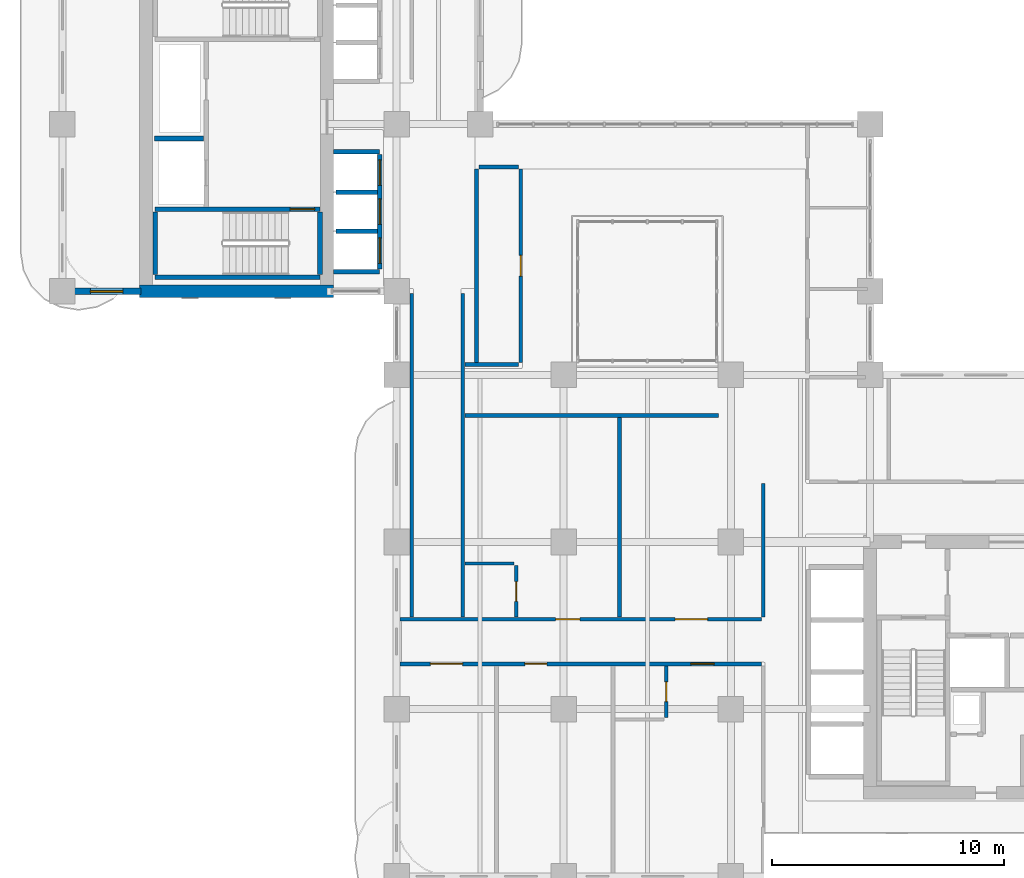
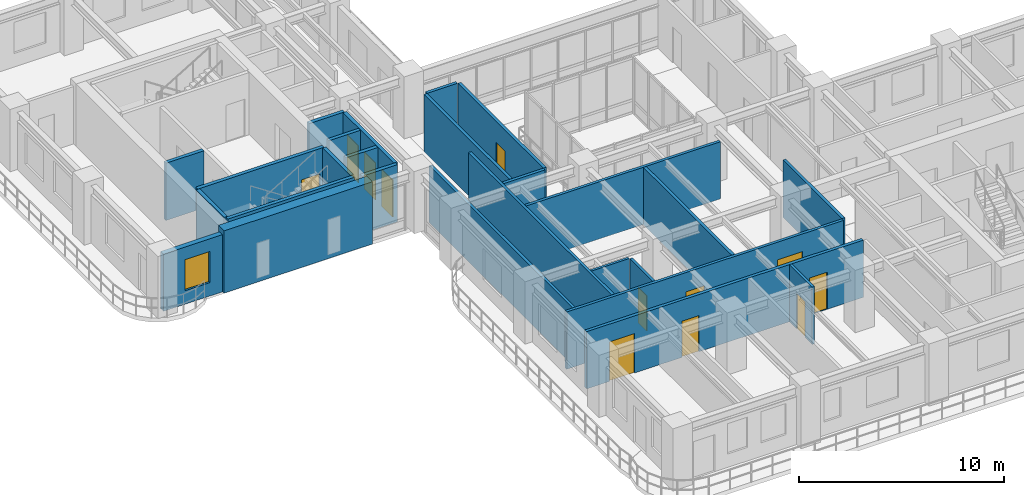
# One storey, part 9 of 19: 26 walls, 12 doors, 1 window, 13 openings.
"""IFC4 building model written with IfcOpenShell, lengths in metres."""

from ifc_helpers import new_model, si_unit, derived_unit, direction, frame, frame_2d, origin, place, context, subcontext, project, spatial, rectangle, extrude, source, transform, mapped, material, layer, layer_set, type_object, type_shapes, element, fill, save


model = new_model("IFC4")

# Units and contexts
model_context = context("Model", 3, precision=1e-05, world=origin(), true_north=direction((0.0, 1.0)))
body_context = subcontext(model_context, "Body", "Model", "MODEL_VIEW")
ifc_project = project(units=[si_unit("LENGTHUNIT", "METRE"), si_unit("AREAUNIT", "SQUARE_METRE"), si_unit("VOLUMEUNIT", "CUBIC_METRE"), si_unit("PLANEANGLEUNIT", "RADIAN"), si_unit("MASSUNIT", "GRAM", prefix="KILO"), si_unit("THERMODYNAMICTEMPERATUREUNIT", "KELVIN"), si_unit("POWERUNIT", "WATT"), derived_unit("THERMALTRANSMITTANCEUNIT", [(si_unit("POWERUNIT", "WATT"), 1), (si_unit("AREAUNIT", "SQUARE_METRE"), -1), (si_unit("THERMODYNAMICTEMPERATUREUNIT", "KELVIN"), -1)])], contexts=[model_context])

# Site, building, storey
site_placement = place(None, origin())
site = spatial("IfcSite", under=ifc_project, at=site_placement, CompositionType="ELEMENT")
building_placement = place(site_placement, origin())
building = spatial("IfcBuilding", under=site, at=building_placement, Name="Zahravan Archway Hotel and Residences", CompositionType="ELEMENT")
storey_placement = place(building_placement, frame((0.0, 0.0, 102.699951171875)))
storey = spatial("IfcBuildingStorey", under=building, at=storey_placement, Name="L25", CompositionType="ELEMENT", Elevation=102.699951171875)

# Wall
ifc_material_1 = material(Name="Concrete C70/85", Category="concrete")
ifc_layer_1 = layer(ifc_material_1, 0.550048828125, Name="Concrete C70/85", Category="concrete")
ifc_layer_set_1 = layer_set([ifc_layer_1], Name="Concrete C70/85")
wall_type_1 = type_object("IfcWallType", Name="CW-CORE-550", PredefinedType="SHEAR", material=ifc_layer_set_1)
wall_1_placement = place(storey_placement, frame((3.324951171875, 25.199951171875, 0.0), z_axis=(0.0, 0.0, 1.0), x_axis=(1.0, 0.0, 0.0)))
element("IfcWall", 1, at=wall_1_placement, inside=storey, type_object=wall_type_1, Name="L25 Core B Shear S Wall 550 mm", PredefinedType="SHEAR", context=body_context, shape_type="SweptSolid", body=[
    extrude(rectangle(XDim=8.35009765625, YDim=0.550048828125, at=frame_2d((4.175048828125, 0.0))), origin(), (0.0, 0.0, 1.0), 3.699951171875),
])

# Wall, opening, window
ifc_material_2 = material(Name="Honed Red-Ochre Sandstone & Insulated Block", Category="masonry")
ifc_layer_2 = layer(ifc_material_2, 0.280029296875, Name="Honed Red-Ochre Sandstone & Insulated Block", Category="masonry")
ifc_layer_set_2 = layer_set([ifc_layer_2], Name="Honed Red-Ochre Sandstone & Insulated Block")
wall_type_2 = type_object("IfcWallType", Name="EW-LOG-280", PredefinedType="SOLIDWALL", material=ifc_layer_set_2)
wall_2_placement = place(storey_placement, frame((0.0, 25.199951171875, 0.0), z_axis=(0.0, 0.0, 1.0), x_axis=(1.0, 0.0, 0.0)))
wall_2 = element("IfcWall", 2, at=wall_2_placement, inside=storey, type_object=wall_type_2, Name="L25 Exterior Sandstone Wall WB-SW", PredefinedType="SOLIDWALL", context=body_context, shape_type="SweptSolid", body=[
    extrude(rectangle(XDim=3.3798828125, YDim=0.280029296875, at=frame_2d((1.68994140625, 0.0))), origin(), (0.0, 0.0, 1.0), 3.400146484375),
])
opening_1_placement = place(wall_2_placement, frame((1.205078125, 0.0, 0.800048828125)))
opening_1 = element("IfcOpeningElement", 3, at=opening_1_placement, cuts=wall_2, Name="Opening W-03", PredefinedType="OPENING", context=body_context, shape_type="SweptSolid", body=[
    extrude(rectangle(XDim=1.39990234375, YDim=1.85009765625, at=frame_2d((0.699951171875, 0.925048828125))), frame((0.0, 0.14990234375, 0.0), z_axis=(0.0, -1.0, 0.0), x_axis=(1.0, 0.0, 0.0)), (0.0, 0.0, 1.0), 0.300048828125),
])
ifc_material_3 = material(Name="Bronze-Anodized Thermal-Break Aluminium & Low-E Glass", Category="aluminium")
window_type = type_object("IfcWindowType", Name="WIN-TWR-1400", PartitioningType="SINGLE_PANEL", PredefinedType="WINDOW", material=ifc_material_3)
shared_shape_1 = source(origin(), body_context, "Body", "SweptSolid", [
    extrude(rectangle(XDim=1.39990234375, YDim=1.85009765625, at=frame_2d((0.699951171875, 0.925048828125))), frame((0.0, 0.030029296875, 0.0), z_axis=(0.0, -1.0, 0.0), x_axis=(1.0, 0.0, 0.0)), (0.0, 0.0, 1.0), 0.06005859375),
])
type_shapes(window_type, [shared_shape_1])
window_placement = place(opening_1_placement, origin())
window = element("IfcWindow", 4, at=window_placement, inside=storey, type_object=window_type, Name="L25 Loggia Window 29", OverallHeight=1.85009765625, OverallWidth=1.39990234375, PartitioningType="SINGLE_PANEL", PredefinedType="WINDOW", context=body_context, shape_type="MappedRepresentation", body=[
    mapped(shared_shape_1, transform((0.0, 0.0, 0.0), scale=1.0)),
])
fill(opening_1, window)

# Wall, openings, doors
ifc_material_4 = material(Name="Fire-Rated Gypsum & Concrete Block", Category="concrete")
ifc_layer_3 = layer(ifc_material_4, 0.159912109375, Name="Fire-Rated Gypsum & Concrete Block", Category="concrete")
ifc_layer_set_3 = layer_set([ifc_layer_3], Name="Fire-Rated Gypsum & Concrete Block")
wall_type_3 = type_object("IfcWallType", Name="PW-CORR-160", PredefinedType="PARTITIONING", material=ifc_layer_set_3)
wall_3_placement = place(storey_placement, frame((14.548095703125, 11.070068359375, 0.0), z_axis=(0.0, 0.0, 1.0), x_axis=(1.0, 0.0, 0.0)))
wall_3 = element("IfcWall", 5, at=wall_3_placement, inside=storey, type_object=wall_type_3, Name="L25 Partition WA-CN", PredefinedType="PARTITIONING", context=body_context, shape_type="SweptSolid", body=[
    extrude(rectangle(XDim=15.56201171875, YDim=0.159912109375, at=frame_2d((7.781005859375, 0.0))), origin(), (0.0, 0.0, 1.0), 3.400146484375),
])
opening_2_placement = place(wall_3_placement, frame((6.701904296875, 0.0, 0.0)))
opening_2 = element("IfcOpeningElement", 6, at=opening_2_placement, cuts=wall_3, Name="Opening D-U1", PredefinedType="OPENING", context=body_context, shape_type="SweptSolid", body=[
    extrude(rectangle(XDim=1.050048828125, YDim=2.25, at=frame_2d((0.52490234375, 1.125))), frame((0.0, 0.08984375, 0.0), z_axis=(0.0, -1.0, 0.0), x_axis=(1.0, 0.0, 0.0)), (0.0, 0.0, 1.0), 0.179931640625),
])
opening_3_placement = place(wall_3_placement, frame((11.85205078125, 0.0, 0.0)))
opening_3 = element("IfcOpeningElement", 7, at=opening_3_placement, cuts=wall_3, Name="Opening D-P1", PredefinedType="OPENING", context=body_context, shape_type="SweptSolid", body=[
    extrude(rectangle(XDim=1.39990234375, YDim=2.35009765625, at=frame_2d((0.699951171875, 1.175048828125))), frame((0.0, 0.08984375, 0.0), z_axis=(0.0, -1.0, 0.0), x_axis=(1.0, 0.0, 0.0)), (0.0, 0.0, 1.0), 0.179931640625),
])
ifc_material_5 = material(Name="Bronze-Anodized Glazed Aluminium", Category="aluminium")
door_type_1 = type_object("IfcDoorType", Name="ID-PUBLIC-1400", OperationType="DOUBLE_DOOR_SINGLE_SWING", PredefinedType="DOOR", material=ifc_material_5)
shared_shape_2 = source(origin(), body_context, "Body", "SweptSolid", [
    extrude(rectangle(XDim=1.39990234375, YDim=2.35009765625, at=frame_2d((0.699951171875, 1.175048828125))), frame((0.0, 0.02490234375, 0.0), z_axis=(0.0, -1.0, 0.0), x_axis=(1.0, 0.0, 0.0)), (0.0, 0.0, 1.0), 0.050048828125),
])
type_shapes(door_type_1, [shared_shape_2])
door_1_placement = place(opening_3_placement, origin())
door_1 = element("IfcDoor", 8, at=door_1_placement, inside=storey, type_object=door_type_1, Name="L25 Atrium Dining Door", OperationType="DOUBLE_DOOR_SINGLE_SWING", OverallHeight=2.35009765625, OverallWidth=1.39990234375, PredefinedType="DOOR", context=body_context, shape_type="MappedRepresentation", body=[
    mapped(shared_shape_2, transform((0.0, 0.0, 0.0), scale=1.0)),
])
fill(opening_3, door_1)
ifc_material_6 = material(Name="Hardwood Veneer Timber", Category="wood")
door_type_2 = type_object("IfcDoorType", Name="ID-UNIT-1050", OperationType="NOTDEFINED", PredefinedType="DOOR", material=ifc_material_6)
shared_shape_3 = source(origin(), body_context, "Body", "SweptSolid", [
    extrude(rectangle(XDim=1.050048828125, YDim=2.25, at=frame_2d((0.52490234375, 1.125))), frame((0.0, 0.02490234375, 0.0), z_axis=(0.0, -1.0, 0.0), x_axis=(1.0, 0.0, 0.0)), (0.0, 0.0, 1.0), 0.050048828125),
])
type_shapes(door_type_2, [shared_shape_3])
door_2_placement = place(opening_2_placement, origin())
door_2 = element("IfcDoor", 9, at=door_2_placement, inside=storey, type_object=door_type_2, Name="L25 Hotel Guestroom 52 Entrance Door", OperationType="SINGLE_SWING_RIGHT", OverallHeight=2.25, OverallWidth=1.050048828125, PredefinedType="DOOR", context=body_context, shape_type="MappedRepresentation", body=[
    mapped(shared_shape_3, transform((0.0, 0.0, 0.0), scale=1.0)),
])
fill(opening_2, door_2)

# Walls
wall_4_placement = place(storey_placement, frame((30.199951171875, 11.159912109375, 0.0), z_axis=(0.0, 0.0, 1.0), x_axis=(0.0, 1.0, 0.0)))
element("IfcWall", 10, at=wall_4_placement, inside=storey, type_object=wall_type_3, Name="L25 Partition WA-FW", PredefinedType="PARTITIONING", context=body_context, shape_type="SweptSolid", body=[
    extrude(rectangle(XDim=5.75, YDim=0.159912109375, at=frame_2d((2.875, 0.0))), origin(), (0.0, 0.0, 1.0), 3.400146484375),
])
for number, where, z_axis, x_axis, name in (
    (11, (15.050048828125, 11.159912109375, 0.0), (0.0, 0.0, 1.0), (0.0, 1.0, 0.0), "L25 Partition LNK-W"),
    (12, (17.25, 11.159912109375, 0.0), (0.0, 0.0, 1.0), (0.0, 1.0, 0.0), "L25 Partition LNK-E"),
):
    element("IfcWall", number, at=place(storey_placement, frame(where, z_axis=z_axis, x_axis=x_axis)), inside=storey, type_object=wall_type_3, Name=name, PredefinedType="PARTITIONING", context=body_context, shape_type="SweptSolid", body=[
        extrude(rectangle(XDim=13.9501953125, YDim=0.159912109375, at=frame_2d((6.97509765625, 0.0))), origin(), (0.0, 0.0, 1.0), 3.400146484375),
    ])
wall_5_placement = place(storey_placement, frame((17.340087890625, 19.85009765625, 0.0), z_axis=(0.0, 0.0, 1.0), x_axis=(1.0, 0.0, 0.0)))
element("IfcWall", 13, at=wall_5_placement, inside=storey, type_object=wall_type_3, Name="L25 Partition ATR-S", PredefinedType="PARTITIONING", context=body_context, shape_type="SweptSolid", body=[
    extrude(rectangle(XDim=10.919921875, YDim=0.159912109375, at=frame_2d((5.4599609375, 0.0))), origin(), (0.0, 0.0, 1.0), 3.400146484375),
])

# Wall, openings, doors
ifc_layer_4 = layer(ifc_material_4, 0.179931640625, Name="Fire-Rated Gypsum & Concrete Block", Category="concrete")
ifc_layer_set_4 = layer_set([ifc_layer_4], Name="Fire-Rated Gypsum & Concrete Block")
wall_type_4 = type_object("IfcWallType", Name="PW-CORR-180", PredefinedType="PARTITIONING", material=ifc_layer_set_4)
wall_6_placement = place(storey_placement, frame((14.548095703125, 9.14990234375, 0.0), z_axis=(0.0, 0.0, 1.0), x_axis=(1.0, 0.0, 0.0)))
wall_6 = element("IfcWall", 14, at=wall_6_placement, inside=storey, type_object=wall_type_4, Name="L25 Partition WA-CS", PredefinedType="PARTITIONING", context=body_context, shape_type="SweptSolid", body=[
    extrude(rectangle(XDim=15.56201171875, YDim=0.179931640625, at=frame_2d((7.781005859375, 0.0))), origin(), (0.0, 0.0, 1.0), 3.400146484375),
])
opening_4_placement = place(wall_6_placement, frame((1.302001953125, 0.0, 0.0)))
opening_4 = element("IfcOpeningElement", 15, at=opening_4_placement, cuts=wall_6, Name="Opening D-P1", PredefinedType="OPENING", context=body_context, shape_type="SweptSolid", body=[
    extrude(rectangle(XDim=1.39990234375, YDim=2.35009765625, at=frame_2d((0.699951171875, 1.175048828125))), frame((0.0, 0.10009765625, 0.0), z_axis=(0.0, -1.0, 0.0), x_axis=(1.0, 0.0, 0.0)), (0.0, 0.0, 1.0), 0.199951171875),
])
opening_5_placement = place(wall_6_placement, frame((5.375, 0.0, 0.0)))
opening_5 = element("IfcOpeningElement", 16, at=opening_5_placement, cuts=wall_6, Name="Opening D-I1", PredefinedType="OPENING", context=body_context, shape_type="SweptSolid", body=[
    extrude(rectangle(XDim=0.949951171875, YDim=2.14990234375, at=frame_2d((0.47509765625, 1.074951171875))), frame((0.0, 0.10009765625, 0.0), z_axis=(0.0, -1.0, 0.0), x_axis=(1.0, 0.0, 0.0)), (0.0, 0.0, 1.0), 0.199951171875),
])
opening_6_placement = place(wall_6_placement, frame((12.532958984375, 0.0, 0.0)))
opening_6 = element("IfcOpeningElement", 17, at=opening_6_placement, cuts=wall_6, Name="Opening D-U2", PredefinedType="OPENING", context=body_context, shape_type="SweptSolid", body=[
    extrude(rectangle(XDim=1.0, YDim=2.199951171875, at=frame_2d((0.5, 1.10009765625))), frame((0.0, 0.10009765625, 0.0), z_axis=(0.0, -1.0, 0.0), x_axis=(1.0, 0.0, 0.0)), (0.0, 0.0, 1.0), 0.199951171875),
])
door_3_placement = place(opening_4_placement, origin())
door_3 = element("IfcDoor", 18, at=door_3_placement, inside=storey, type_object=door_type_1, Name="L25 West Majlis Door", OperationType="DOUBLE_DOOR_SINGLE_SWING", OverallHeight=2.35009765625, OverallWidth=1.39990234375, PredefinedType="DOOR", context=body_context, shape_type="MappedRepresentation", body=[
    mapped(shared_shape_2, transform((0.0, 0.0, 0.0), scale=1.0)),
])
fill(opening_4, door_3)
door_type_3 = type_object("IfcDoorType", Name="ID-INT-950", OperationType="NOTDEFINED", PredefinedType="DOOR", material=ifc_material_6)
shared_shape_4 = source(origin(), body_context, "Body", "SweptSolid", [
    extrude(rectangle(XDim=0.949951171875, YDim=2.14990234375, at=frame_2d((0.47509765625, 1.074951171875))), frame((0.0, 0.02490234375, 0.0), z_axis=(0.0, -1.0, 0.0), x_axis=(1.0, 0.0, 0.0)), (0.0, 0.0, 1.0), 0.050048828125),
])
type_shapes(door_type_3, [shared_shape_4])
door_4_placement = place(opening_5_placement, origin())
door_4 = element("IfcDoor", 19, at=door_4_placement, inside=storey, type_object=door_type_3, Name="L25 Boardroom Door", OperationType="SINGLE_SWING_LEFT", OverallHeight=2.14990234375, OverallWidth=0.949951171875, PredefinedType="DOOR", context=body_context, shape_type="MappedRepresentation", body=[
    mapped(shared_shape_4, transform((0.0, 0.0, 0.0), scale=1.0)),
])
fill(opening_5, door_4)
door_type_4 = type_object("IfcDoorType", Name="ID-UNIT-1000", OperationType="NOTDEFINED", PredefinedType="DOOR", material=ifc_material_6)
shared_shape_5 = source(origin(), body_context, "Body", "SweptSolid", [
    extrude(rectangle(XDim=1.0, YDim=2.199951171875, at=frame_2d((0.5, 1.10009765625))), frame((0.0, 0.02490234375, 0.0), z_axis=(0.0, -1.0, 0.0), x_axis=(1.0, 0.0, 0.0)), (0.0, 0.0, 1.0), 0.050048828125),
])
type_shapes(door_type_4, [shared_shape_5])
door_5_placement = place(opening_6_placement, origin())
door_5 = element("IfcDoor", 20, at=door_5_placement, inside=storey, type_object=door_type_4, Name="L25 Hotel Guestroom 21 Entrance Door", OperationType="SINGLE_SWING_LEFT", OverallHeight=2.199951171875, OverallWidth=1.0, PredefinedType="DOOR", context=body_context, shape_type="MappedRepresentation", body=[
    mapped(shared_shape_5, transform((0.0, 0.0, 0.0), scale=1.0)),
])
fill(opening_6, door_5)

# Walls
ifc_layer_5 = layer(ifc_material_4, 0.199951171875, Name="Fire-Rated Gypsum & Concrete Block", Category="concrete")
ifc_layer_set_5 = layer_set([ifc_layer_5], Name="Fire-Rated Gypsum & Concrete Block")
wall_type_5 = type_object("IfcWallType", Name="PW-SHAFT-200", PredefinedType="PARTITIONING", material=ifc_layer_set_5)
wall_7_placement = place(storey_placement, frame((3.9599609375, 31.780029296875, 0.0), z_axis=(0.0, 0.0, 1.0), x_axis=(1.0, 0.0, 0.0)))
element("IfcWall", 21, at=wall_7_placement, inside=storey, type_object=wall_type_5, Name="L25 Partition CB-FL3N", PredefinedType="PARTITIONING", context=body_context, shape_type="SweptSolid", body=[
    extrude(rectangle(XDim=2.130126953125, YDim=0.199951171875, at=frame_2d((1.06494140625, 0.0))), origin(), (0.0, 0.0, 1.0), 3.400146484375),
])
for number, where, z_axis, x_axis, name in (
    (22, (11.68505859375, 26.050048828125, 0.0), (0.0, 0.0, 1.0), (1.0, 0.0, 0.0), "L25 Partition B1-S"),
    (23, (11.68505859375, 31.2099609375, 0.0), (0.0, 0.0, 1.0), (1.0, 0.0, 0.0), "L25 Partition B1-N"),
):
    element("IfcWall", number, at=place(storey_placement, frame(where, z_axis=z_axis, x_axis=x_axis)), inside=storey, type_object=wall_type_5, Name=name, PredefinedType="PARTITIONING", context=body_context, shape_type="SweptSolid", body=[
        extrude(rectangle(XDim=1.98486328125, YDim=0.199951171875, at=frame_2d((0.992431640625, 0.0))), origin(), (0.0, 0.0, 1.0), 3.400146484375),
    ])

# Wall, openings, doors
wall_8_placement = place(storey_placement, frame((13.679931640625, 26.159912109375, 0.0), z_axis=(0.0, 0.0, 1.0), x_axis=(0.0, 1.0, 0.0)))
wall_8 = element("IfcWall", 24, at=wall_8_placement, inside=storey, type_object=wall_type_5, Name="L25 Partition B1-E", PredefinedType="PARTITIONING", context=body_context, shape_type="SweptSolid", body=[
    extrude(rectangle(XDim=4.940185546875, YDim=0.199951171875, at=frame_2d((2.47021484375, 0.0))), origin(), (0.0, 0.0, 1.0), 3.400146484375),
])
opening_7_placement = place(wall_8_placement, frame((0.239990234375, 0.0, 0.0)))
opening_7 = element("IfcOpeningElement", 25, at=opening_7_placement, cuts=wall_8, Name="Opening LD", PredefinedType="OPENING", context=body_context, shape_type="SweptSolid", body=[
    extrude(rectangle(XDim=1.10009765625, YDim=2.199951171875, at=frame_2d((0.550048828125, 1.10009765625))), frame((0.0, 0.10986328125, 0.0), z_axis=(0.0, -1.0, 0.0), x_axis=(1.0, 0.0, 0.0)), (0.0, 0.0, 1.0), 0.219970703125),
])
opening_8_placement = place(wall_8_placement, frame((1.919921875, 0.0, 0.0)))
opening_8 = element("IfcOpeningElement", 26, at=opening_8_placement, cuts=wall_8, Name="Opening LD", PredefinedType="OPENING", context=body_context, shape_type="SweptSolid", body=[
    extrude(rectangle(XDim=1.10009765625, YDim=2.199951171875, at=frame_2d((0.550048828125, 1.10009765625))), frame((0.0, 0.10986328125, 0.0), z_axis=(0.0, -1.0, 0.0), x_axis=(1.0, 0.0, 0.0)), (0.0, 0.0, 1.0), 0.219970703125),
])
opening_9_placement = place(wall_8_placement, frame((3.60009765625, 0.0, 0.0)))
opening_9 = element("IfcOpeningElement", 27, at=opening_9_placement, cuts=wall_8, Name="Opening LD", PredefinedType="OPENING", context=body_context, shape_type="SweptSolid", body=[
    extrude(rectangle(XDim=1.10009765625, YDim=2.199951171875, at=frame_2d((0.550048828125, 1.10009765625))), frame((0.0, 0.10986328125, 0.0), z_axis=(0.0, -1.0, 0.0), x_axis=(1.0, 0.0, 0.0)), (0.0, 0.0, 1.0), 0.219970703125),
])
ifc_material_7 = material(Name="Brushed Stainless Steel", Category="steel")
door_type_5 = type_object("IfcDoorType", Name="DR-LIFT-LD", OperationType="SLIDING_TO_LEFT", PredefinedType="DOOR", material=ifc_material_7)
shared_shape_6 = source(origin(), body_context, "Body", "SweptSolid", [
    extrude(rectangle(XDim=1.10009765625, YDim=2.199951171875, at=frame_2d((0.550048828125, 1.10009765625))), frame((0.0, 0.02490234375, 0.0), z_axis=(0.0, -1.0, 0.0), x_axis=(1.0, 0.0, 0.0)), (0.0, 0.0, 1.0), 0.050048828125),
])
type_shapes(door_type_5, [shared_shape_6])
door_6_placement = place(opening_7_placement, origin())
door_6 = element("IfcDoor", 28, at=door_6_placement, inside=storey, type_object=door_type_5, Name="L25 Lift LP-1 Sliding Landing Door", OperationType="SLIDING_TO_LEFT", OverallHeight=2.199951171875, OverallWidth=1.10009765625, PredefinedType="DOOR", context=body_context, shape_type="MappedRepresentation", body=[
    mapped(shared_shape_6, transform((0.0, 0.0, 0.0), scale=1.0)),
])
fill(opening_7, door_6)
door_7_placement = place(opening_8_placement, origin())
door_7 = element("IfcDoor", 29, at=door_7_placement, inside=storey, type_object=door_type_5, Name="L25 Lift LP-2 Sliding Landing Door", OperationType="SLIDING_TO_LEFT", OverallHeight=2.199951171875, OverallWidth=1.10009765625, PredefinedType="DOOR", context=body_context, shape_type="MappedRepresentation", body=[
    mapped(shared_shape_6, transform((0.0, 0.0, 0.0), scale=1.0)),
])
fill(opening_8, door_7)
door_8_placement = place(opening_9_placement, origin())
door_8 = element("IfcDoor", 30, at=door_8_placement, inside=storey, type_object=door_type_5, Name="L25 Lift LP-3 Sliding Landing Door", OperationType="SLIDING_TO_LEFT", OverallHeight=2.199951171875, OverallWidth=1.10009765625, PredefinedType="DOOR", context=body_context, shape_type="MappedRepresentation", body=[
    mapped(shared_shape_6, transform((0.0, 0.0, 0.0), scale=1.0)),
])
fill(opening_9, door_8)

# Walls
for number, where, z_axis, x_axis, name in (
    (31, (11.784912109375, 27.7900390625, 0.0), (0.0, 0.0, 1.0), (1.0, 0.0, 0.0), "L25 Partition B1-D"),
    (32, (11.784912109375, 29.469970703125, 0.0), (0.0, 0.0, 1.0), (1.0, 0.0, 0.0), "L25 Partition B1-D"),
):
    element("IfcWall", number, at=place(storey_placement, frame(where, z_axis=z_axis, x_axis=x_axis)), inside=storey, type_object=wall_type_5, Name=name, PredefinedType="PARTITIONING", context=body_context, shape_type="SweptSolid", body=[
        extrude(rectangle(XDim=1.78515625, YDim=0.199951171875, at=frame_2d((0.892578125, 0.0))), origin(), (0.0, 0.0, 1.0), 3.400146484375),
    ])
ifc_material_8 = material(Name="Acoustic Stud Partition")
ifc_layer_6 = layer(ifc_material_8, 0.169921875, Name="Acoustic Stud Partition")
ifc_layer_set_6 = layer_set([ifc_layer_6], Name="Acoustic Stud Partition")
wall_type_6 = type_object("IfcWallType", Name="PW-UNIT-170", PredefinedType="PARTITIONING", material=ifc_layer_set_6)
wall_9_placement = place(storey_placement, frame((17.340087890625, 22.050048828125, 0.0), z_axis=(0.0, 0.0, 1.0), x_axis=(1.0, 0.0, 0.0)))
element("IfcWall", 33, at=wall_9_placement, inside=storey, type_object=wall_type_6, Name="L25 Partition ATR-WLS", PredefinedType="PARTITIONING", context=body_context, shape_type="SweptSolid", body=[
    extrude(rectangle(XDim=2.31982421875, YDim=0.169921875, at=frame_2d((1.159912109375, 0.0))), origin(), (0.0, 0.0, 1.0), 3.400146484375),
])
wall_10_placement = place(storey_placement, frame((17.93994140625, 30.550048828125, 0.0), z_axis=(0.0, 0.0, 1.0), x_axis=(1.0, 0.0, 0.0)))
element("IfcWall", 34, at=wall_10_placement, inside=storey, type_object=wall_type_6, Name="L25 Partition ATR-WLN", PredefinedType="PARTITIONING", context=body_context, shape_type="SweptSolid", body=[
    extrude(rectangle(XDim=1.719970703125, YDim=0.169921875, at=frame_2d((0.85986328125, 0.0))), origin(), (0.0, 0.0, 1.0), 3.400146484375),
])
wall_11_placement = place(storey_placement, frame((17.85009765625, 22.139892578125, 0.0), z_axis=(0.0, 0.0, 1.0), x_axis=(0.0, 1.0, 0.0)))
element("IfcWall", 35, at=wall_11_placement, inside=storey, type_object=wall_type_6, Name="L25 Partition ATR-WLW", PredefinedType="PARTITIONING", context=body_context, shape_type="SweptSolid", body=[
    extrude(rectangle(XDim=8.320068359375, YDim=0.169921875, at=frame_2d((4.16015625, 0.0))), origin(), (0.0, 0.0, 1.0), 3.400146484375),
])

# Wall, opening, door
wall_12_placement = place(storey_placement, frame((19.75, 22.139892578125, 0.0), z_axis=(0.0, 0.0, 1.0), x_axis=(0.0, 1.0, 0.0)))
wall_12 = element("IfcWall", 36, at=wall_12_placement, inside=storey, type_object=wall_type_6, Name="L25 Partition ATR-WL", PredefinedType="PARTITIONING", context=body_context, shape_type="SweptSolid", body=[
    extrude(rectangle(XDim=8.320068359375, YDim=0.169921875, at=frame_2d((4.16015625, 0.0))), origin(), (0.0, 0.0, 1.0), 3.400146484375),
])
opening_10_placement = place(wall_12_placement, frame((3.7099609375, 0.0, 0.0)))
opening_10 = element("IfcOpeningElement", 37, at=opening_10_placement, cuts=wall_12, Name="Opening D-I2", PredefinedType="OPENING", context=body_context, shape_type="SweptSolid", body=[
    extrude(rectangle(XDim=0.89990234375, YDim=2.14990234375, at=frame_2d((0.449951171875, 1.074951171875))), frame((0.0, 0.094970703125, 0.0), z_axis=(0.0, -1.0, 0.0), x_axis=(1.0, 0.0, 0.0)), (0.0, 0.0, 1.0), 0.18994140625),
])
door_type_6 = type_object("IfcDoorType", Name="ID-INT-900", OperationType="NOTDEFINED", PredefinedType="DOOR", material=ifc_material_6)
shared_shape_7 = source(origin(), body_context, "Body", "SweptSolid", [
    extrude(rectangle(XDim=0.89990234375, YDim=2.14990234375, at=frame_2d((0.449951171875, 1.074951171875))), frame((0.0, 0.02490234375, 0.0), z_axis=(0.0, -1.0, 0.0), x_axis=(1.0, 0.0, 0.0)), (0.0, 0.0, 1.0), 0.050048828125),
])
type_shapes(door_type_6, [shared_shape_7])
door_9_placement = place(opening_10_placement, origin())
door_9 = element("IfcDoor", 38, at=door_9_placement, inside=storey, type_object=door_type_6, Name="L25 Atrium West Alcove Door", OperationType="SINGLE_SWING_LEFT", OverallHeight=2.14990234375, OverallWidth=0.89990234375, PredefinedType="DOOR", context=body_context, shape_type="MappedRepresentation", body=[
    mapped(shared_shape_7, transform((0.0, 0.0, 0.0), scale=1.0)),
])
fill(opening_10, door_9)

# Wall
wall_13_placement = place(storey_placement, frame((24.0, 11.159912109375, 0.0), z_axis=(0.0, 0.0, 1.0), x_axis=(0.0, 1.0, 0.0)))
element("IfcWall", 39, at=wall_13_placement, inside=storey, type_object=wall_type_6, Name="L25 Partition ATN-3", PredefinedType="PARTITIONING", context=body_context, shape_type="SweptSolid", body=[
    extrude(rectangle(XDim=8.60009765625, YDim=0.169921875, at=frame_2d((4.300048828125, 0.0))), origin(), (0.0, 0.0, 1.0), 3.400146484375),
])

# Wall, opening, door
ifc_material_9 = material(Name="Moisture-Resistant Blockwork", Category="masonry")
ifc_layer_7 = layer(ifc_material_9, 0.139892578125, Name="Moisture-Resistant Blockwork", Category="masonry")
ifc_layer_set_7 = layer_set([ifc_layer_7], Name="Moisture-Resistant Blockwork")
wall_type_7 = type_object("IfcWallType", Name="PW-WET-140", PredefinedType="PARTITIONING", material=ifc_layer_set_7)
wall_14_placement = place(storey_placement, frame((26.02001953125, 6.840087890625, 0.0), z_axis=(0.0, 0.0, 1.0), x_axis=(0.0, 1.0, 0.0)))
wall_14 = element("IfcWall", 40, at=wall_14_placement, inside=storey, type_object=wall_type_7, Name="L25 Partition HKB-V21", PredefinedType="PARTITIONING", context=body_context, shape_type="SweptSolid", body=[
    extrude(rectangle(XDim=2.219970703125, YDim=0.139892578125, at=frame_2d((1.10986328125, 0.0))), origin(), (0.0, 0.0, 1.0), 3.400146484375),
])
opening_11_placement = place(wall_14_placement, frame((0.68505859375, 0.0, 0.0)))
opening_11 = element("IfcOpeningElement", 41, at=opening_11_placement, cuts=wall_14, Name="Opening D-B1", PredefinedType="OPENING", context=body_context, shape_type="SweptSolid", body=[
    extrude(rectangle(XDim=0.85009765625, YDim=2.10009765625, at=frame_2d((0.425048828125, 1.050048828125))), frame((0.0, 0.080078125, 0.0), z_axis=(0.0, -1.0, 0.0), x_axis=(1.0, 0.0, 0.0)), (0.0, 0.0, 1.0), 0.159912109375),
])
door_type_7 = type_object("IfcDoorType", Name="ID-BATH-850", OperationType="NOTDEFINED", PredefinedType="DOOR", material=ifc_material_6)
shared_shape_8 = source(origin(), body_context, "Body", "SweptSolid", [
    extrude(rectangle(XDim=0.85009765625, YDim=2.10009765625, at=frame_2d((0.425048828125, 1.050048828125))), frame((0.0, 0.02490234375, 0.0), z_axis=(0.0, -1.0, 0.0), x_axis=(1.0, 0.0, 0.0)), (0.0, 0.0, 1.0), 0.050048828125),
])
type_shapes(door_type_7, [shared_shape_8])
door_10_placement = place(opening_11_placement, origin())
door_10 = element("IfcDoor", 42, at=door_10_placement, inside=storey, type_object=door_type_7, Name="L25 Guestroom 21 En-Suite Door", OperationType="SINGLE_SWING_RIGHT", OverallHeight=2.10009765625, OverallWidth=0.85009765625, PredefinedType="DOOR", context=body_context, shape_type="MappedRepresentation", body=[
    mapped(shared_shape_8, transform((0.0, 0.0, 0.0), scale=1.0)),
])
fill(opening_11, door_10)

wall_15_placement = place(storey_placement, frame((19.550048828125, 11.159912109375, 0.0), z_axis=(0.0, 0.0, 1.0), x_axis=(0.0, 1.0, 0.0)))
wall_15 = element("IfcWall", 43, at=wall_15_placement, inside=storey, type_object=wall_type_7, Name="L25 Partition HKB-V52", PredefinedType="PARTITIONING", context=body_context, shape_type="SweptSolid", body=[
    extrude(rectangle(XDim=2.219970703125, YDim=0.139892578125, at=frame_2d((1.10986328125, 0.0))), origin(), (0.0, 0.0, 1.0), 3.400146484375),
])
opening_12_placement = place(wall_15_placement, frame((0.68505859375, 0.0, 0.0)))
opening_12 = element("IfcOpeningElement", 44, at=opening_12_placement, cuts=wall_15, Name="Opening D-B1", PredefinedType="OPENING", context=body_context, shape_type="SweptSolid", body=[
    extrude(rectangle(XDim=0.85009765625, YDim=2.10009765625, at=frame_2d((0.425048828125, 1.050048828125))), frame((0.0, 0.080078125, 0.0), z_axis=(0.0, -1.0, 0.0), x_axis=(1.0, 0.0, 0.0)), (0.0, 0.0, 1.0), 0.159912109375),
])
door_11_placement = place(opening_12_placement, origin())
door_11 = element("IfcDoor", 45, at=door_11_placement, inside=storey, type_object=door_type_7, Name="L25 Guestroom 52 En-Suite Door", OperationType="SINGLE_SWING_LEFT", OverallHeight=2.10009765625, OverallWidth=0.85009765625, PredefinedType="DOOR", context=body_context, shape_type="MappedRepresentation", body=[
    mapped(shared_shape_8, transform((0.0, 0.0, 0.0), scale=1.0)),
])
fill(opening_12, door_11)

# Walls
wall_16_placement = place(storey_placement, frame((17.340087890625, 13.469970703125, 0.0), z_axis=(0.0, 0.0, 1.0), x_axis=(1.0, 0.0, 0.0)))
element("IfcWall", 46, at=wall_16_placement, inside=storey, type_object=wall_type_7, Name="L25 Partition HKB-H52", PredefinedType="PARTITIONING", context=body_context, shape_type="SweptSolid", body=[
    extrude(rectangle(XDim=2.119873046875, YDim=0.139892578125, at=frame_2d((1.06005859375, 0.0))), origin(), (0.0, 0.0, 1.0), 3.400146484375),
])
ifc_material_10 = material(Name="Concrete C50/60", Category="concrete")
ifc_layer_8 = layer(ifc_material_10, 0.199951171875, Name="Concrete C50/60", Category="concrete")
ifc_layer_set_8 = layer_set([ifc_layer_8], Name="Concrete C50/60")
wall_type_8 = type_object("IfcWallType", Name="SW-STAIR-200", PredefinedType="SHEAR", material=ifc_layer_set_8)
wall_17_placement = place(storey_placement, frame((4.0, 25.800048828125, 0.0), z_axis=(0.0, 0.0, 1.0), x_axis=(1.0, 0.0, 0.0)))
element("IfcWall", 47, at=wall_17_placement, inside=storey, type_object=wall_type_8, Name="L25 Stairwell RC Wall CB-SB1S", PredefinedType="SHEAR", context=body_context, shape_type="SweptSolid", body=[
    extrude(rectangle(XDim=7.10009765625, YDim=0.199951171875, at=frame_2d((3.550048828125, 0.0))), origin(), (0.0, 0.0, 1.0), 3.699951171875),
])
for number, where, z_axis, x_axis, name in (
    (48, (4.0, 25.919921875, 0.0), (0.0, 0.0, 1.0), (0.0, 1.0, 0.0), "L25 Stairwell RC Wall CB-SB1W"),
    (49, (11.10009765625, 25.919921875, 0.0), (0.0, 0.0, 1.0), (0.0, 1.0, 0.0), "L25 Stairwell RC Wall CB-SB1E"),
):
    element("IfcWall", number, at=place(storey_placement, frame(where, z_axis=z_axis, x_axis=x_axis)), inside=storey, type_object=wall_type_8, Name=name, PredefinedType="SHEAR", context=body_context, shape_type="SweptSolid", body=[
        extrude(rectangle(XDim=2.7001953125, YDim=0.199951171875, at=frame_2d((1.35009765625, 0.0))), origin(), (0.0, 0.0, 1.0), 3.699951171875),
    ])

# Wall, opening, door
wall_18_placement = place(storey_placement, frame((4.0, 28.739990234375, 0.0), z_axis=(0.0, 0.0, 1.0), x_axis=(1.0, 0.0, 0.0)))
wall_18 = element("IfcWall", 50, at=wall_18_placement, inside=storey, type_object=wall_type_8, Name="L25 Stairwell RC Wall CB-SB1N", PredefinedType="SHEAR", context=body_context, shape_type="SweptSolid", body=[
    extrude(rectangle(XDim=7.10009765625, YDim=0.199951171875, at=frame_2d((3.550048828125, 0.0))), origin(), (0.0, 0.0, 1.0), 3.699951171875),
])
opening_13_placement = place(wall_18_placement, frame((5.81494140625, 0.0, 0.0)))
opening_13 = element("IfcOpeningElement", 51, at=opening_13_placement, cuts=wall_18, Name="Opening FD-S1", PredefinedType="OPENING", context=body_context, shape_type="SweptSolid", body=[
    extrude(rectangle(XDim=1.050048828125, YDim=2.199951171875, at=frame_2d((0.52490234375, 1.10009765625))), frame((0.0, 0.10986328125, 0.0), z_axis=(0.0, -1.0, 0.0), x_axis=(1.0, 0.0, 0.0)), (0.0, 0.0, 1.0), 0.219970703125),
])
ifc_material_11 = material(Name="Fire-Rated Painted Steel", Category="steel")
door_type_8 = type_object("IfcDoorType", Name="FD-STAIR-1100", OperationType="NOTDEFINED", PredefinedType="DOOR", material=ifc_material_11)
shared_shape_9 = source(origin(), body_context, "Body", "SweptSolid", [
    extrude(rectangle(XDim=1.050048828125, YDim=2.199951171875, at=frame_2d((0.52490234375, 1.10009765625))), frame((0.0, 0.02490234375, 0.0), z_axis=(0.0, -1.0, 0.0), x_axis=(1.0, 0.0, 0.0)), (0.0, 0.0, 1.0), 0.050048828125),
])
type_shapes(door_type_8, [shared_shape_9])
door_12_placement = place(opening_13_placement, origin())
door_12 = element("IfcDoor", 52, at=door_12_placement, inside=storey, type_object=door_type_8, Name="L25 Stair ST-B1 Door", OperationType="SINGLE_SWING_LEFT", OverallHeight=2.199951171875, OverallWidth=1.050048828125, PredefinedType="DOOR", context=body_context, shape_type="MappedRepresentation", body=[
    mapped(shared_shape_9, transform((0.0, 0.0, 0.0), scale=1.0)),
])
fill(opening_13, door_12)

save(model, "model.ifc")
